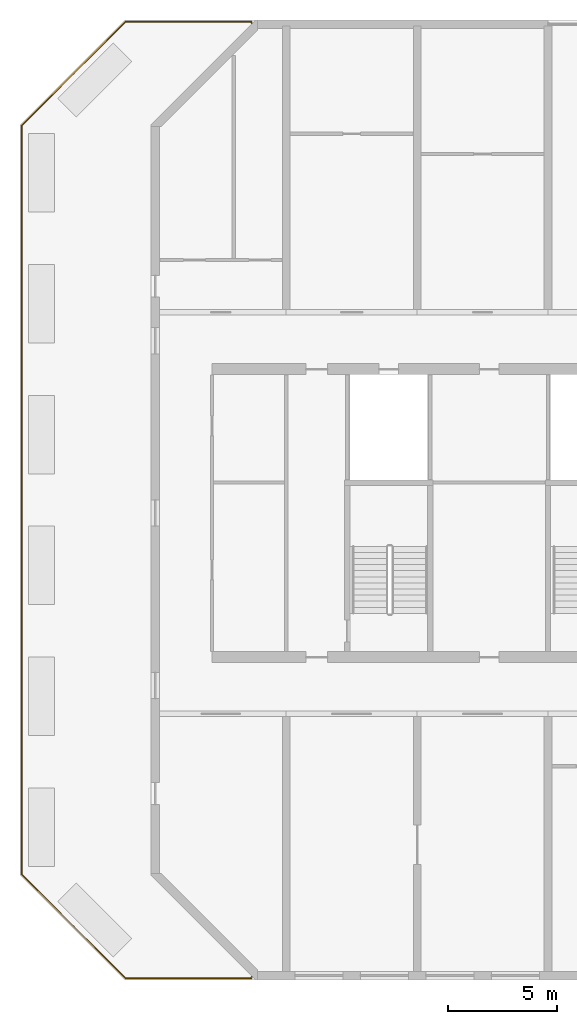
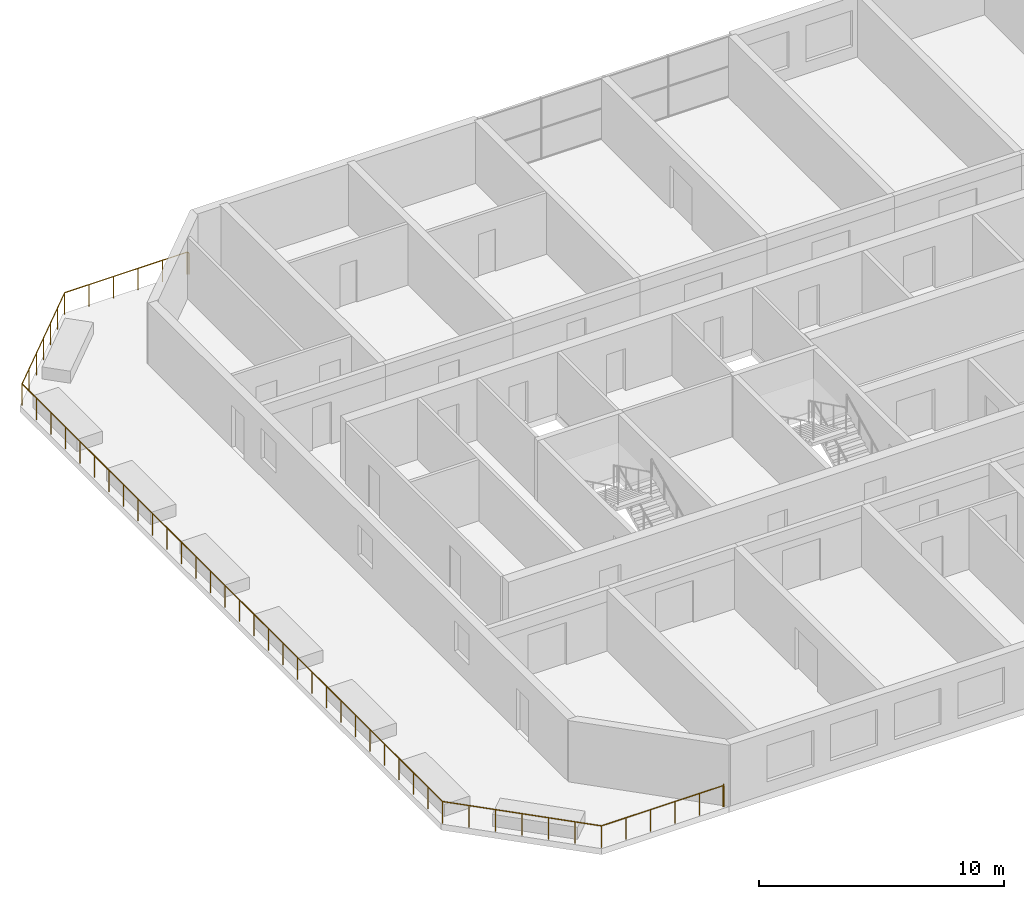
# One storey, part 15 of 18: 1 railing.
"""IFC4 building model written with IfcOpenShell, lengths in metres."""

import ifcopenshell
import ifcopenshell.guid

model = None  # the IFC model being written
_history = None  # IfcOwnerHistory: only IFC2X3 demands one
_inside = {}  # id of a spatial element -> (the spatial element, [elements in it])
_under = {}  # id of a project, library or spatial element -> (it, [spatial elements below it])
_declared = {}  # id of a project -> (the project, [libraries it declares])
_typed = {}  # id of a type object -> (the type object, [elements of that type])
_made_of = {}  # id of a material, layer set ... -> (it, [elements and type objects made of it])


def new_model(schema):
    """Start an empty IFC model of exactly this schema.

    Asked for "IFC4X3", IfcOpenShell would pick the latest addendum, in which some entities
    have other attributes; the version numbers below select the first issue.
    IFC2X3 requires an IfcOwnerHistory on every rooted entity: one is made here for all.
    """
    global model, _history
    if schema == "IFC4X3":
        model = ifcopenshell.file(schema_version=(4, 3, 0, 0))
    else:
        model = ifcopenshell.file(schema=schema)
    _inside.clear()
    _under.clear()
    _declared.clear()
    _typed.clear()
    _made_of.clear()
    _history = None
    if model.schema == "IFC2X3":
        org = make("IfcOrganization", Name="unknown")
        user = make(
            "IfcPersonAndOrganization",
            ThePerson=make("IfcPerson", FamilyName="unknown"),
            TheOrganization=org,
        )
        app = make(
            "IfcApplication",
            ApplicationDeveloper=org,
            Version="unknown",
            ApplicationFullName="unknown",
            ApplicationIdentifier="unknown",
        )
        _history = make(
            "IfcOwnerHistory",
            OwningUser=user,
            OwningApplication=app,
            ChangeAction="ADDED",
            CreationDate=0,
        )
    return model


def make(cls, **values):
    """One entity of the class cls with the attributes given. An attribute that is None is left unset."""
    return model.create_entity(
        cls, **{name: value for name, value in values.items() if value is not None}
    )


def rooted(cls, **values):
    """An entity with a GlobalId (a new one), such as an element, a storey or a relation."""
    return make(cls, GlobalId=ifcopenshell.guid.new(), OwnerHistory=_history, **values)


def si_unit(unit_type, name, prefix=None):
    """IfcSIUnit, for example si_unit("LENGTHUNIT", "METRE", prefix="MILLI")."""
    return make("IfcSIUnit", UnitType=unit_type, Prefix=prefix, Name=name)


def assignment(units):
    """IfcUnitAssignment: the units of a project."""
    return None if units is None else make("IfcUnitAssignment", Units=units)


def point(xyz):
    """IfcCartesianPoint."""
    return None if xyz is None else make("IfcCartesianPoint", Coordinates=xyz)


def direction(xyz):
    """IfcDirection."""
    return None if xyz is None else make("IfcDirection", DirectionRatios=xyz)


def frame(location, z_axis=None, x_axis=None):
    """IfcAxis2Placement3D, a coordinate frame: its origin and axes. An axis left out is left unset."""
    return make(
        "IfcAxis2Placement3D",
        Location=point(location),
        Axis=direction(z_axis),
        RefDirection=direction(x_axis),
    )


def frame_2d(location, x_axis=None):
    """IfcAxis2Placement2D, a coordinate frame in the plane: its origin and x axis."""
    return make(
        "IfcAxis2Placement2D", Location=point(location), RefDirection=direction(x_axis)
    )


def origin():
    """The frame at (0, 0, 0) with its axes left unset."""
    return frame((0.0, 0.0, 0.0))


def origin_2d():
    """The frame at (0, 0) in the plane with its x axis left unset."""
    return frame_2d((0.0, 0.0))


def place(relative_to, where):
    """IfcLocalPlacement: puts the frame where relative to a parent placement (None: the world)."""
    return make(
        "IfcLocalPlacement", PlacementRelTo=relative_to, RelativePlacement=where
    )


def context(
    kind, dimensions, precision=None, world=None, true_north=None, identifier=None
):
    """IfcGeometricRepresentationContext, for example the 3D "Model" context."""
    return make(
        "IfcGeometricRepresentationContext",
        ContextIdentifier=identifier,
        ContextType=kind,
        CoordinateSpaceDimension=dimensions,
        Precision=precision,
        WorldCoordinateSystem=world,
        TrueNorth=true_north,
    )


def subcontext(parent, identifier, kind, view, scale=None):
    """IfcGeometricRepresentationSubContext, for example "Body" below "Model"."""
    return make(
        "IfcGeometricRepresentationSubContext",
        ContextIdentifier=identifier,
        ContextType=kind,
        ParentContext=parent,
        TargetScale=scale,
        TargetView=view,
    )


def project(units=None, contexts=None):
    """IfcProject with its units and contexts."""
    return rooted(
        "IfcProject",
        Name="project",
        RepresentationContexts=contexts,
        UnitsInContext=assignment(units),
    )


def spatial(cls, under=None, at=None, **own):
    """A site, building, storey or space (cls), placed at a placement, below another one or the project."""
    s = rooted(cls, ObjectPlacement=at, **own)
    if under is not None:
        _under.setdefault(under.id(), (under, []))[1].append(s)
    return s


def profile(cls, at=None, kind="AREA", **sizes):
    """A parametric profile (cls). Its sizes go by their IFC names, for example OverallWidth=200.0."""
    return make(cls, ProfileType=kind, Position=at, **sizes)


def circle(**sizes):
    """IfcCircleProfileDef."""
    return profile("IfcCircleProfileDef", **sizes)


def extrude(swept, where, along, depth):
    """IfcExtrudedAreaSolid: the profile swept, set in the frame where, extruded along a direction by depth."""
    return make(
        "IfcExtrudedAreaSolid",
        SweptArea=swept,
        Position=where,
        ExtrudedDirection=direction(along),
        Depth=depth,
    )


def shape(context_of_items, identifier, shape_type, items):
    """IfcShapeRepresentation: the items that make up one representation, for example the "Body"."""
    return make(
        "IfcShapeRepresentation",
        ContextOfItems=context_of_items,
        RepresentationIdentifier=identifier,
        RepresentationType=shape_type,
        Items=items,
    )


def material(Name=None, Category=None):
    """IfcMaterial."""
    return make("IfcMaterial", Name=Name, Category=Category)


def made_of(thing, what):
    """Note that an element or type object is made of a material, layer set ...; save() writes the relation."""
    if what is not None:
        _made_of.setdefault(what.id(), (what, []))[1].append(thing)
    return thing


def type_object(cls, material=None, **own):
    """A type object (cls), such as IfcWallType, which elements share."""
    return made_of(rooted(cls, **own), material)


def element(
    cls,
    number,
    at=None,
    inside=None,
    cuts=None,
    type_object=None,
    material=None,
    context=None,
    identifier="Body",
    shape_type=None,
    held_by="IfcProductDefinitionShape",
    body=None,
    shapes=None,
    **own,
):
    """One element of the class cls, such as IfcWall. Its Tag is "e" and its number.

    at: its placement. inside: the storey or other place that contains it. cuts: it is an
    opening in that element (IfcRelVoidsElement). A single representation is given by context,
    identifier, shape_type and body (its items); several are given by shapes. held_by: the class
    of the entity that holds the representations. save() writes the other relations.
    """
    e = rooted(cls, Tag="e%d" % number, ObjectPlacement=at, **own)
    if body is not None:
        shapes = [shape(context, identifier, shape_type, body)]
    if shapes is not None:
        e.Representation = make(held_by, Representations=shapes)
    if inside is not None:
        _inside.setdefault(inside.id(), (inside, []))[1].append(e)
    if cuts is not None:
        rooted(
            "IfcRelVoidsElement", RelatingBuildingElement=cuts, RelatedOpeningElement=e
        )
    if type_object is not None:
        _typed.setdefault(type_object.id(), (type_object, []))[1].append(e)
    return made_of(e, material)


def aggregate(whole, parts):
    """IfcRelAggregates: a whole, such as a stair, and the parts it consists of."""
    return rooted("IfcRelAggregates", RelatingObject=whole, RelatedObjects=parts)


def save(model, path):
    """Write the relations noted so far, then the file.

    IfcRelAggregates (storeys below a building ...), IfcRelContainedInSpatialStructure (elements
    in a storey), IfcRelDefinesByType, IfcRelAssociatesMaterial and IfcRelDeclares: one each for
    every whole, place, type object, material and project.
    """
    for whole, parts in _under.values():
        aggregate(whole, parts)
    for where, things in _inside.values():
        rooted(
            "IfcRelContainedInSpatialStructure",
            RelatedElements=things,
            RelatingStructure=where,
        )
    for kind, things in _typed.values():
        rooted("IfcRelDefinesByType", RelatedObjects=things, RelatingType=kind)
    for what, things in _made_of.values():
        rooted("IfcRelAssociatesMaterial", RelatedObjects=things, RelatingMaterial=what)
    for by, libraries in _declared.values():
        rooted("IfcRelDeclares", RelatingContext=by, RelatedDefinitions=libraries)
    model.write(path)


model = new_model("IFC4")

# Units and contexts
model_context = context("Model", 3, precision=1e-05, world=origin(), true_north=direction((0.0, 1.0)))
body_context = subcontext(model_context, "Body", "Model", "MODEL_VIEW")
ifc_project = project(units=[si_unit("LENGTHUNIT", "METRE"), si_unit("AREAUNIT", "SQUARE_METRE"), si_unit("VOLUMEUNIT", "CUBIC_METRE"), si_unit("PLANEANGLEUNIT", "RADIAN"), si_unit("MASSUNIT", "GRAM", prefix="KILO")], contexts=[model_context])

# Site, building, storey
site_placement = place(None, origin())
site = spatial("IfcSite", under=ifc_project, at=site_placement, CompositionType="ELEMENT")
building_placement = place(site_placement, origin())
building = spatial("IfcBuilding", under=site, at=building_placement, Name="Poui Terraces", CompositionType="ELEMENT")
storey_placement = place(building_placement, frame((0.0, 0.0, 105.89990234375)))
storey = spatial("IfcBuildingStorey", under=building, at=storey_placement, Name="L29", CompositionType="ELEMENT", Elevation=105.89990234375)

# Railing
ifc_material = material(Name="Painted steel fretwork", Category="steel")
railing_type = type_object("IfcRailingType", Name="TERRACE GUARD 1100", PredefinedType="GUARDRAIL", material=ifc_material)
railing_placement = place(storey_placement, frame((16.443359375, -0.04345703125, 0.0)))
element("IfcRailing", 1, at=railing_placement, inside=storey, type_object=railing_type, Name="TERRACE GUARD", PredefinedType="GUARDRAIL", context=body_context, shape_type="SweptSolid", body=[
    extrude(circle(Radius=0.02392578125, at=origin_2d()), frame((0.0, 0.0, 1.076171875), z_axis=(-0.705577907011, -0.708632356824, 0.0), x_axis=(0.708632356824, -0.705577907011, 0.0)), (0.0, 0.0, 1.0), 0.079833984375),
    extrude(circle(Radius=0.02392578125, at=origin_2d()), frame((-0.056396484375, -0.056640625, 1.076171875), z_axis=(0.707106781187, -0.707106781187, 0.0), x_axis=(0.707106781187, 0.707106781187, 0.0)), (0.0, 0.0, 1.0), 0.0283203125),
    extrude(circle(Radius=0.02392578125, at=origin_2d()), frame((-0.036376953125, -0.07666015625, 1.076171875), z_axis=(-1.0, 0.0, 0.0), x_axis=(0.0, -1.0, 0.0)), (0.0, 0.0, 1.0), 5.77392578125),
    extrude(circle(Radius=0.02392578125, at=origin_2d()), frame((-5.810302734375, -0.07666015625, 1.076171875), z_axis=(-0.707106781187, 0.707106781187, 0.0), x_axis=(-0.707106781187, -0.707106781187, 0.0)), (0.0, 0.0, 1.0), 6.721923828125),
    extrude(circle(Radius=0.02392578125, at=origin_2d()), frame((-10.5634765625, 4.676513671875, 1.076171875), z_axis=(0.0, 1.0, 0.0), x_axis=(-1.0, 0.0, 0.0)), (0.0, 0.0, 1.0), 34.333740234375),
    extrude(circle(Radius=0.02392578125, at=origin_2d()), frame((-10.5634765625, 39.01025390625, 1.076171875), z_axis=(0.707106781187, 0.707106781187, 0.0), x_axis=(-0.707106781187, 0.707106781187, 0.0)), (0.0, 0.0, 1.0), 6.721923828125),
    extrude(circle(Radius=0.02392578125, at=origin_2d()), frame((-5.810302734375, 43.763427734375, 1.076171875), z_axis=(1.0, 0.0, 0.0), x_axis=(0.0, 1.0, 0.0)), (0.0, 0.0, 1.0), 5.77392578125),
    extrude(circle(Radius=0.02392578125, at=origin_2d()), frame((-0.036376953125, 43.763427734375, 1.076171875), z_axis=(-0.707106781187, -0.707106781187, 0.0), x_axis=(0.707106781187, -0.707106781187, 0.0)), (0.0, 0.0, 1.0), 0.0283203125),
    extrude(circle(Radius=0.02392578125, at=origin_2d()), frame((-0.056396484375, 43.743408203125, 1.076171875), z_axis=(0.705577907011, -0.708632356824, 0.0), x_axis=(0.708632356824, 0.705577907011, 0.0)), (0.0, 0.0, 1.0), 0.079833984375),
    extrude(circle(Radius=0.02099609375, at=origin_2d()), origin(), (0.0, 0.0, 1.0), 1.052001953125),
    extrude(circle(Radius=0.02099609375, at=origin_2d()), frame((-0.056396484375, -0.056640625, 0.0)), (0.0, 0.0, 1.0), 1.052001953125),
    extrude(circle(Radius=0.02099609375, at=origin_2d()), frame((-0.036376953125, -0.07666015625, 0.0)), (0.0, 0.0, 1.0), 1.052001953125),
    extrude(circle(Radius=0.02099609375, at=origin_2d()), frame((-1.191162109375, -0.07666015625, 0.0)), (0.0, 0.0, 1.0), 1.052001953125),
    extrude(circle(Radius=0.02099609375, at=origin_2d()), frame((-2.345947265625, -0.07666015625, 0.0)), (0.0, 0.0, 1.0), 1.052001953125),
    extrude(circle(Radius=0.02099609375, at=origin_2d()), frame((-3.500732421875, -0.07666015625, 0.0)), (0.0, 0.0, 1.0), 1.052001953125),
    extrude(circle(Radius=0.02099609375, at=origin_2d()), frame((-4.655517578125, -0.07666015625, 0.0)), (0.0, 0.0, 1.0), 1.052001953125),
    extrude(circle(Radius=0.02099609375, at=origin_2d()), frame((-5.810302734375, -0.07666015625, 0.0)), (0.0, 0.0, 1.0), 1.052001953125),
    extrude(circle(Radius=0.02099609375, at=origin_2d()), frame((-6.6025390625, 0.715576171875, 0.0)), (0.0, 0.0, 1.0), 1.052001953125),
    extrude(circle(Radius=0.02099609375, at=origin_2d()), frame((-7.394775390625, 1.5078125, 0.0)), (0.0, 0.0, 1.0), 1.052001953125),
    extrude(circle(Radius=0.02099609375, at=origin_2d()), frame((-8.18701171875, 2.2998046875, 0.0)), (0.0, 0.0, 1.0), 1.052001953125),
    extrude(circle(Radius=0.02099609375, at=origin_2d()), frame((-8.97900390625, 3.092041015625, 0.0)), (0.0, 0.0, 1.0), 1.052001953125),
    extrude(circle(Radius=0.02099609375, at=origin_2d()), frame((-9.771240234375, 3.88427734375, 0.0)), (0.0, 0.0, 1.0), 1.052001953125),
    extrude(circle(Radius=0.02099609375, at=origin_2d()), frame((-10.5634765625, 4.676513671875, 0.0)), (0.0, 0.0, 1.0), 1.052001953125),
    extrude(circle(Radius=0.02099609375, at=origin_2d()), frame((-10.5634765625, 5.8603515625, 0.0)), (0.0, 0.0, 1.0), 1.052001953125),
    extrude(circle(Radius=0.02099609375, at=origin_2d()), frame((-10.5634765625, 7.04443359375, 0.0)), (0.0, 0.0, 1.0), 1.052001953125),
    extrude(circle(Radius=0.02099609375, at=origin_2d()), frame((-10.5634765625, 8.228271484375, 0.0)), (0.0, 0.0, 1.0), 1.052001953125),
    extrude(circle(Radius=0.02099609375, at=origin_2d()), frame((-10.5634765625, 9.412109375, 0.0)), (0.0, 0.0, 1.0), 1.052001953125),
    extrude(circle(Radius=0.02099609375, at=origin_2d()), frame((-10.5634765625, 10.59619140625, 0.0)), (0.0, 0.0, 1.0), 1.052001953125),
    extrude(circle(Radius=0.02099609375, at=origin_2d()), frame((-10.5634765625, 11.780029296875, 0.0)), (0.0, 0.0, 1.0), 1.052001953125),
    extrude(circle(Radius=0.02099609375, at=origin_2d()), frame((-10.5634765625, 12.9638671875, 0.0)), (0.0, 0.0, 1.0), 1.052001953125),
    extrude(circle(Radius=0.02099609375, at=origin_2d()), frame((-10.5634765625, 14.14794921875, 0.0)), (0.0, 0.0, 1.0), 1.052001953125),
    extrude(circle(Radius=0.02099609375, at=origin_2d()), frame((-10.5634765625, 15.331787109375, 0.0)), (0.0, 0.0, 1.0), 1.052001953125),
    extrude(circle(Radius=0.02099609375, at=origin_2d()), frame((-10.5634765625, 16.515625, 0.0)), (0.0, 0.0, 1.0), 1.052001953125),
    extrude(circle(Radius=0.02099609375, at=origin_2d()), frame((-10.5634765625, 17.69970703125, 0.0)), (0.0, 0.0, 1.0), 1.052001953125),
    extrude(circle(Radius=0.02099609375, at=origin_2d()), frame((-10.5634765625, 18.883544921875, 0.0)), (0.0, 0.0, 1.0), 1.052001953125),
    extrude(circle(Radius=0.02099609375, at=origin_2d()), frame((-10.5634765625, 20.0673828125, 0.0)), (0.0, 0.0, 1.0), 1.052001953125),
    extrude(circle(Radius=0.02099609375, at=origin_2d()), frame((-10.5634765625, 21.25146484375, 0.0)), (0.0, 0.0, 1.0), 1.052001953125),
    extrude(circle(Radius=0.02099609375, at=origin_2d()), frame((-10.5634765625, 22.435302734375, 0.0)), (0.0, 0.0, 1.0), 1.052001953125),
    extrude(circle(Radius=0.02099609375, at=origin_2d()), frame((-10.5634765625, 23.619384765625, 0.0)), (0.0, 0.0, 1.0), 1.052001953125),
    extrude(circle(Radius=0.02099609375, at=origin_2d()), frame((-10.5634765625, 24.80322265625, 0.0)), (0.0, 0.0, 1.0), 1.052001953125),
    extrude(circle(Radius=0.02099609375, at=origin_2d()), frame((-10.5634765625, 25.987060546875, 0.0)), (0.0, 0.0, 1.0), 1.052001953125),
    extrude(circle(Radius=0.02099609375, at=origin_2d()), frame((-10.5634765625, 27.171142578125, 0.0)), (0.0, 0.0, 1.0), 1.052001953125),
    extrude(circle(Radius=0.02099609375, at=origin_2d()), frame((-10.5634765625, 28.35498046875, 0.0)), (0.0, 0.0, 1.0), 1.052001953125),
    extrude(circle(Radius=0.02099609375, at=origin_2d()), frame((-10.5634765625, 29.538818359375, 0.0)), (0.0, 0.0, 1.0), 1.052001953125),
    extrude(circle(Radius=0.02099609375, at=origin_2d()), frame((-10.5634765625, 30.722900390625, 0.0)), (0.0, 0.0, 1.0), 1.052001953125),
    extrude(circle(Radius=0.02099609375, at=origin_2d()), frame((-10.5634765625, 31.90673828125, 0.0)), (0.0, 0.0, 1.0), 1.052001953125),
    extrude(circle(Radius=0.02099609375, at=origin_2d()), frame((-10.5634765625, 33.090576171875, 0.0)), (0.0, 0.0, 1.0), 1.052001953125),
    extrude(circle(Radius=0.02099609375, at=origin_2d()), frame((-10.5634765625, 34.274658203125, 0.0)), (0.0, 0.0, 1.0), 1.052001953125),
    extrude(circle(Radius=0.02099609375, at=origin_2d()), frame((-10.5634765625, 35.45849609375, 0.0)), (0.0, 0.0, 1.0), 1.052001953125),
    extrude(circle(Radius=0.02099609375, at=origin_2d()), frame((-10.5634765625, 36.642333984375, 0.0)), (0.0, 0.0, 1.0), 1.052001953125),
    extrude(circle(Radius=0.02099609375, at=origin_2d()), frame((-10.5634765625, 37.826416015625, 0.0)), (0.0, 0.0, 1.0), 1.052001953125),
    extrude(circle(Radius=0.02099609375, at=origin_2d()), frame((-10.5634765625, 39.01025390625, 0.0)), (0.0, 0.0, 1.0), 1.052001953125),
    extrude(circle(Radius=0.02099609375, at=origin_2d()), frame((-9.771240234375, 39.802490234375, 0.0)), (0.0, 0.0, 1.0), 1.052001953125),
    extrude(circle(Radius=0.02099609375, at=origin_2d()), frame((-8.97900390625, 40.5947265625, 0.0)), (0.0, 0.0, 1.0), 1.052001953125),
    extrude(circle(Radius=0.02099609375, at=origin_2d()), frame((-8.18701171875, 41.38671875, 0.0)), (0.0, 0.0, 1.0), 1.052001953125),
    extrude(circle(Radius=0.02099609375, at=origin_2d()), frame((-7.394775390625, 42.178955078125, 0.0)), (0.0, 0.0, 1.0), 1.052001953125),
    extrude(circle(Radius=0.02099609375, at=origin_2d()), frame((-6.6025390625, 42.97119140625, 0.0)), (0.0, 0.0, 1.0), 1.052001953125),
    extrude(circle(Radius=0.02099609375, at=origin_2d()), frame((-5.810302734375, 43.763427734375, 0.0)), (0.0, 0.0, 1.0), 1.052001953125),
    extrude(circle(Radius=0.02099609375, at=origin_2d()), frame((-4.655517578125, 43.763427734375, 0.0)), (0.0, 0.0, 1.0), 1.052001953125),
    extrude(circle(Radius=0.02099609375, at=origin_2d()), frame((-3.500732421875, 43.763427734375, 0.0)), (0.0, 0.0, 1.0), 1.052001953125),
    extrude(circle(Radius=0.02099609375, at=origin_2d()), frame((-2.345947265625, 43.763427734375, 0.0)), (0.0, 0.0, 1.0), 1.052001953125),
    extrude(circle(Radius=0.02099609375, at=origin_2d()), frame((-1.191162109375, 43.763427734375, 0.0)), (0.0, 0.0, 1.0), 1.052001953125),
    extrude(circle(Radius=0.02099609375, at=origin_2d()), frame((-0.036376953125, 43.763427734375, 0.0)), (0.0, 0.0, 1.0), 1.052001953125),
    extrude(circle(Radius=0.02099609375, at=origin_2d()), frame((-0.056396484375, 43.743408203125, 0.0)), (0.0, 0.0, 1.0), 1.052001953125),
    extrude(circle(Radius=0.02099609375, at=origin_2d()), frame((0.0, 43.686767578125, 0.0)), (0.0, 0.0, 1.0), 1.052001953125),
])

save(model, "model.ifc")
